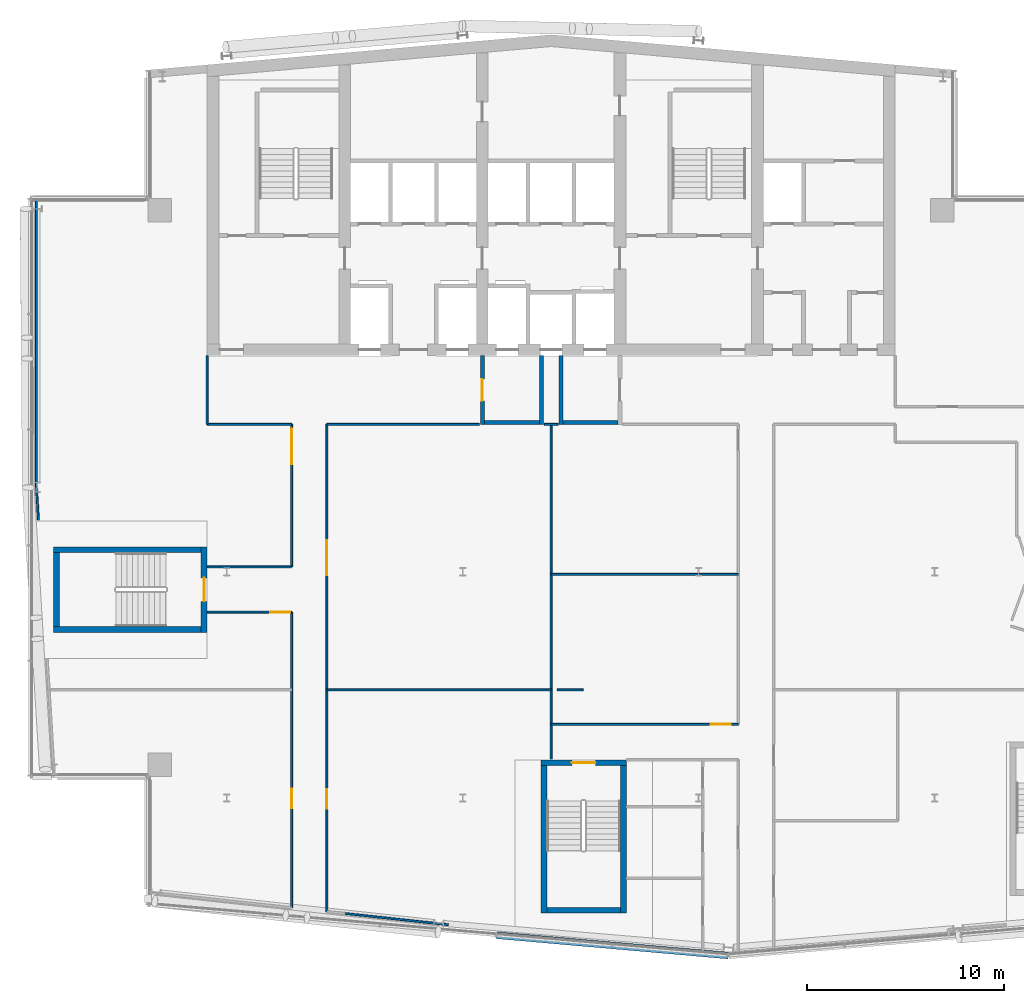
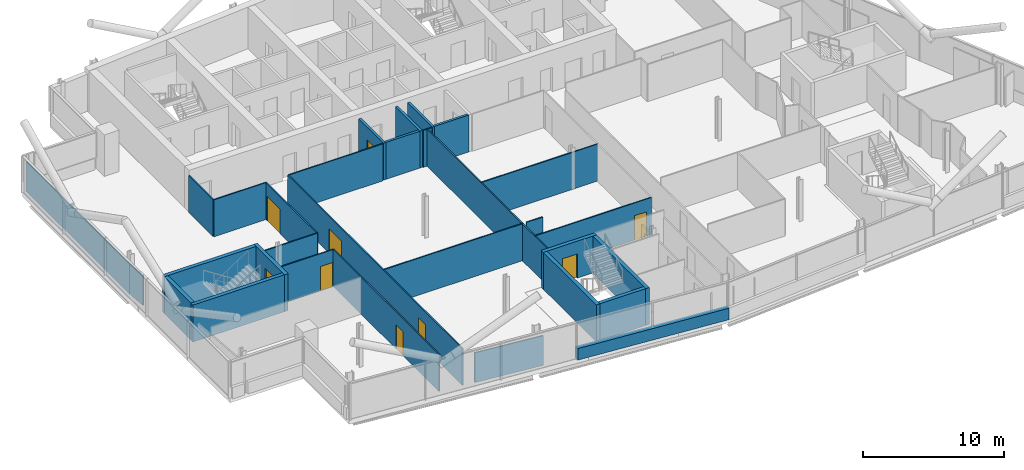
# One storey, part 15 of 28: 31 walls, 9 doors, 9 openings.
"""IFC4 building model written with IfcOpenShell, lengths in metres."""

from ifc_helpers import new_model, si_unit, direction, frame, frame_2d, origin, place, context, subcontext, project, spatial, rectangle, extrude, material, layer, layer_set, type_object, element, fill, save


model = new_model("IFC4")

# Units and contexts
model_context = context("Model", 3, precision=1e-05, world=origin(), true_north=direction((0.0, 1.0)))
body_context = subcontext(model_context, "Body", "Model", "MODEL_VIEW")
ifc_project = project(units=[si_unit("LENGTHUNIT", "METRE"), si_unit("AREAUNIT", "SQUARE_METRE"), si_unit("VOLUMEUNIT", "CUBIC_METRE"), si_unit("PLANEANGLEUNIT", "RADIAN"), si_unit("MASSUNIT", "GRAM", prefix="KILO")], contexts=[model_context])

# Site, building, storey
site_placement = place(None, origin())
site = spatial("IfcSite", under=ifc_project, at=site_placement, CompositionType="ELEMENT")
building_placement = place(site_placement, origin())
building = spatial("IfcBuilding", under=site, at=building_placement, Name="Wharfspan Tower", CompositionType="ELEMENT")
storey_placement = place(building_placement, frame((0.0, 0.0, 253.899902)))
storey = spatial("IfcBuildingStorey", under=building, at=storey_placement, Name="L64", CompositionType="ELEMENT", Elevation=253.899902)

# Walls
ifc_material_1 = material(Name="Gypsum board on steel studs", Category="steel")
ifc_layer_1 = layer(ifc_material_1, 0.100098)
ifc_layer_set_1 = layer_set([ifc_layer_1], Name="Gypsum board on steel studs")
wall_type_1 = type_object("IfcWallType", Name="Compartment wall 100 EI 60", PredefinedType="PARTITIONING", material=ifc_layer_set_1)
wall_1_placement = place(storey_placement, frame((23.0, 30.5, 0.0), z_axis=(0.0, 0.0, 1.0), x_axis=(0.0, 1.0, 0.0)))
element("IfcWall", 1, at=wall_1_placement, inside=storey, type_object=wall_type_1, Name="Partition L64.w006", PredefinedType="PARTITIONING", context=body_context, shape_type="SweptSolid", body=[
    extrude(rectangle(XDim=3.47998, YDim=0.100098, at=frame_2d((1.73999, 0.0))), origin(), (0.0, 0.0, 1.0), 3.200195),
])
wall_2_placement = place(storey_placement, frame((23.0, 30.5, 0.0), z_axis=(0.0, 0.0, 1.0), x_axis=(1.0, 0.0, 0.0)))
element("IfcWall", 2, at=wall_2_placement, inside=storey, type_object=wall_type_1, Name="Partition L64.w007", PredefinedType="PARTITIONING", context=body_context, shape_type="SweptSolid", body=[
    extrude(rectangle(XDim=4.300049, YDim=0.100098, at=frame_2d((2.149902, 0.0))), origin(), (0.0, 0.0, 1.0), 3.200195),
])

# Wall, opening, door
wall_3_placement = place(storey_placement, frame((23.02002, 20.949951, 0.0), z_axis=(0.0, 0.0, 1.0), x_axis=(1.0, 0.0, 0.0)))
wall_3 = element("IfcWall", 3, at=wall_3_placement, inside=storey, type_object=wall_type_1, Name="Partition L64.w008", PredefinedType="PARTITIONING", context=body_context, shape_type="SweptSolid", body=[
    extrude(rectangle(XDim=4.280029, YDim=0.100098, at=frame_2d((2.140137, 0.0))), origin(), (0.0, 0.0, 1.0), 3.200195),
])
opening_1_placement = place(wall_3_placement, frame((3.199951, 0.0, 0.0)))
opening_1 = element("IfcOpeningElement", 4, at=opening_1_placement, cuts=wall_3, Name="Opening D6-13", PredefinedType="OPENING", context=body_context, shape_type="SweptSolid", body=[
    extrude(rectangle(XDim=1.0, YDim=2.100098, at=frame_2d((0.5, 1.050049))), frame((0.0, 0.060059, 0.0), z_axis=(0.0, -1.0, 0.0), x_axis=(1.0, 0.0, 0.0)), (0.0, 0.0, 1.0), 0.120117),
])
ifc_material_2 = material(Name="Fire-rated timber door leaf in steel frame", Category="steel")
door_type_1 = type_object("IfcDoorType", Name="Door 1000 FD30S Right", OperationType="SINGLE_SWING_RIGHT", PredefinedType="DOOR", material=ifc_material_2)
door_1_placement = place(opening_1_placement, origin())
door_1 = element("IfcDoor", 5, at=door_1_placement, inside=storey, type_object=door_type_1, Name="Door D6-13", OperationType="SINGLE_SWING_RIGHT", OverallHeight=2.100098, OverallWidth=1.0, PredefinedType="DOOR", context=body_context, shape_type="SweptSolid", body=[
    extrude(rectangle(XDim=1.0, YDim=2.100098, at=frame_2d((0.5, 1.050049))), frame((0.0, 0.024902, 0.0), z_axis=(0.0, -1.0, 0.0), x_axis=(1.0, 0.0, 0.0)), (0.0, 0.0, 1.0), 0.050049),
])
fill(opening_1, door_1)

# Wall
wall_4_placement = place(storey_placement, frame((23.02002, 23.25, 0.0), z_axis=(0.0, 0.0, 1.0), x_axis=(1.0, 0.0, 0.0)))
element("IfcWall", 6, at=wall_4_placement, inside=storey, type_object=wall_type_1, Name="Partition L64.w009", PredefinedType="PARTITIONING", context=body_context, shape_type="SweptSolid", body=[
    extrude(rectangle(XDim=4.274902, YDim=0.100098, at=frame_2d((2.137451, 0.0))), origin(), (0.0, 0.0, 1.0), 3.200195),
])

# Wall, opening, door
wall_5_placement = place(storey_placement, frame((27.300049, 23.25, 0.0), z_axis=(0.0, 0.0, 1.0), x_axis=(0.0, 1.0, 0.0)))
wall_5 = element("IfcWall", 7, at=wall_5_placement, inside=storey, type_object=wall_type_1, Name="Partition L64.w011", PredefinedType="PARTITIONING", context=body_context, shape_type="SweptSolid", body=[
    extrude(rectangle(XDim=7.25, YDim=0.100098, at=frame_2d((3.625, 0.0))), origin(), (0.0, 0.0, 1.0), 3.200195),
])
opening_2_placement = place(wall_5_placement, frame((5.22998, 0.0, 0.0)))
opening_2 = element("IfcOpeningElement", 8, at=opening_2_placement, cuts=wall_5, Name="Opening D6-15", PredefinedType="OPENING", context=body_context, shape_type="SweptSolid", body=[
    extrude(rectangle(XDim=1.800049, YDim=2.100098, at=frame_2d((0.899902, 1.050049))), frame((0.0, 0.060059, 0.0), z_axis=(0.0, -1.0, 0.0), x_axis=(1.0, 0.0, 0.0)), (0.0, 0.0, 1.0), 0.120117),
])
door_type_2 = type_object("IfcDoorType", Name="Door 1800 FD30S Double", OperationType="DOUBLE_DOOR_SINGLE_SWING", PredefinedType="DOOR", material=ifc_material_2)
door_2_placement = place(opening_2_placement, origin())
door_2 = element("IfcDoor", 9, at=door_2_placement, inside=storey, type_object=door_type_2, Name="Door D6-15", OperationType="DOUBLE_DOOR_SINGLE_SWING", OverallHeight=2.100098, OverallWidth=1.800049, PredefinedType="DOOR", context=body_context, shape_type="SweptSolid", body=[
    extrude(rectangle(XDim=1.800049, YDim=2.100098, at=frame_2d((0.899902, 1.050049))), frame((0.0, 0.024902, 0.0), z_axis=(0.0, -1.0, 0.0), x_axis=(1.0, 0.0, 0.0)), (0.0, 0.0, 1.0), 0.050049),
])
fill(opening_2, door_2)

wall_6_placement = place(storey_placement, frame((27.300049, 5.919922, 0.0), z_axis=(0.0, 0.0, 1.0), x_axis=(0.0, 1.0, 0.0)))
wall_6 = element("IfcWall", 10, at=wall_6_placement, inside=storey, type_object=wall_type_1, Name="Partition L64.w012", PredefinedType="PARTITIONING", context=body_context, shape_type="SweptSolid", body=[
    extrude(rectangle(XDim=15.030029, YDim=0.100098, at=frame_2d((7.515137, 0.0))), origin(), (0.0, 0.0, 1.0), 3.200195),
])
opening_3_placement = place(wall_6_placement, frame((5.054932, 0.0, 0.0)))
opening_3 = element("IfcOpeningElement", 11, at=opening_3_placement, cuts=wall_6, Name="Opening D6-07", PredefinedType="OPENING", context=body_context, shape_type="SweptSolid", body=[
    extrude(rectangle(XDim=1.0, YDim=2.100098, at=frame_2d((0.5, 1.050049))), frame((0.0, 0.060059, 0.0), z_axis=(0.0, -1.0, 0.0), x_axis=(1.0, 0.0, 0.0)), (0.0, 0.0, 1.0), 0.120117),
])
door_type_3 = type_object("IfcDoorType", Name="Door 1000 FD30S Left", OperationType="SINGLE_SWING_LEFT", PredefinedType="DOOR", material=ifc_material_2)
door_3_placement = place(opening_3_placement, origin())
door_3 = element("IfcDoor", 12, at=door_3_placement, inside=storey, type_object=door_type_3, Name="Door D6-07", OperationType="SINGLE_SWING_LEFT", OverallHeight=2.100098, OverallWidth=1.0, PredefinedType="DOOR", context=body_context, shape_type="SweptSolid", body=[
    extrude(rectangle(XDim=1.0, YDim=2.100098, at=frame_2d((0.5, 1.050049))), frame((0.0, 0.024902, 0.0), z_axis=(0.0, -1.0, 0.0), x_axis=(1.0, 0.0, 0.0)), (0.0, 0.0, 1.0), 0.050049),
])
fill(opening_3, door_3)

# Wall, openings, doors
wall_7_placement = place(storey_placement, frame((29.100098, 5.725098, 0.0), z_axis=(0.0, 0.0, 1.0), x_axis=(0.0, 1.0, 0.0)))
wall_7 = element("IfcWall", 13, at=wall_7_placement, inside=storey, type_object=wall_type_1, Name="Partition L64.w013", PredefinedType="PARTITIONING", context=body_context, shape_type="SweptSolid", body=[
    extrude(rectangle(XDim=24.774902, YDim=0.100098, at=frame_2d((12.387451, 0.0))), origin(), (0.0, 0.0, 1.0), 3.200195),
])
opening_4_placement = place(wall_7_placement, frame((5.219971, 0.0, 0.0)))
opening_4 = element("IfcOpeningElement", 14, at=opening_4_placement, cuts=wall_7, Name="Opening D6-06", PredefinedType="OPENING", context=body_context, shape_type="SweptSolid", body=[
    extrude(rectangle(XDim=1.0, YDim=2.100098, at=frame_2d((0.5, 1.050049))), frame((0.0, 0.060059, 0.0), z_axis=(0.0, -1.0, 0.0), x_axis=(1.0, 0.0, 0.0)), (0.0, 0.0, 1.0), 0.120117),
])
opening_5_placement = place(wall_7_placement, frame((17.094971, 0.0, 0.0)))
opening_5 = element("IfcOpeningElement", 15, at=opening_5_placement, cuts=wall_7, Name="Opening D6-14", PredefinedType="OPENING", context=body_context, shape_type="SweptSolid", body=[
    extrude(rectangle(XDim=1.800049, YDim=2.100098, at=frame_2d((0.899902, 1.050049))), frame((0.0, 0.060059, 0.0), z_axis=(0.0, -1.0, 0.0), x_axis=(1.0, 0.0, 0.0)), (0.0, 0.0, 1.0), 0.120117),
])
door_4_placement = place(opening_4_placement, origin())
door_4 = element("IfcDoor", 16, at=door_4_placement, inside=storey, type_object=door_type_3, Name="Door D6-06", OperationType="SINGLE_SWING_LEFT", OverallHeight=2.100098, OverallWidth=1.0, PredefinedType="DOOR", context=body_context, shape_type="SweptSolid", body=[
    extrude(rectangle(XDim=1.0, YDim=2.100098, at=frame_2d((0.5, 1.050049))), frame((0.0, 0.024902, 0.0), z_axis=(0.0, -1.0, 0.0), x_axis=(1.0, 0.0, 0.0)), (0.0, 0.0, 1.0), 0.050049),
])
fill(opening_4, door_4)
door_5_placement = place(opening_5_placement, origin())
door_5 = element("IfcDoor", 17, at=door_5_placement, inside=storey, type_object=door_type_2, Name="Door D6-14", OperationType="DOUBLE_DOOR_SINGLE_SWING", OverallHeight=2.100098, OverallWidth=1.800049, PredefinedType="DOOR", context=body_context, shape_type="SweptSolid", body=[
    extrude(rectangle(XDim=1.800049, YDim=2.100098, at=frame_2d((0.899902, 1.050049))), frame((0.0, 0.024902, 0.0), z_axis=(0.0, -1.0, 0.0), x_axis=(1.0, 0.0, 0.0)), (0.0, 0.0, 1.0), 0.050049),
])
fill(opening_5, door_5)

# Walls
wall_8_placement = place(storey_placement, frame((29.100098, 16.995117, 0.0), z_axis=(0.0, 0.0, 1.0), x_axis=(1.0, 0.0, 0.0)))
element("IfcWall", 18, at=wall_8_placement, inside=storey, type_object=wall_type_1, Name="Partition L64.w014", PredefinedType="PARTITIONING", context=body_context, shape_type="SweptSolid", body=[
    extrude(rectangle(XDim=11.399902, YDim=0.100098, at=frame_2d((5.699951, 0.0))), origin(), (0.0, 0.0, 1.0), 3.200195),
])
wall_9_placement = place(storey_placement, frame((29.100098, 30.5, 0.0), z_axis=(0.0, 0.0, 1.0), x_axis=(1.0, 0.0, 0.0)))
element("IfcWall", 19, at=wall_9_placement, inside=storey, type_object=wall_type_1, Name="Partition L64.w015", PredefinedType="PARTITIONING", context=body_context, shape_type="SweptSolid", body=[
    extrude(rectangle(XDim=7.75, YDim=0.100098, at=frame_2d((3.875, 0.0))), origin(), (0.0, 0.0, 1.0), 3.200195),
])
wall_10_placement = place(storey_placement, frame((40.5, 13.463135, 0.0), z_axis=(0.0, 0.0, 1.0), x_axis=(0.0, 1.0, 0.0)))
element("IfcWall", 20, at=wall_10_placement, inside=storey, type_object=wall_type_1, Name="Partition L64.w018", PredefinedType="PARTITIONING", context=body_context, shape_type="SweptSolid", body=[
    extrude(rectangle(XDim=17.036865, YDim=0.100098, at=frame_2d((8.518555, 0.0))), origin(), (0.0, 0.0, 1.0), 3.200195),
])

# Wall, opening, door
wall_11_placement = place(storey_placement, frame((40.5, 15.245117, 0.0), z_axis=(0.0, 0.0, 1.0), x_axis=(1.0, 0.0, 0.0)))
wall_11 = element("IfcWall", 21, at=wall_11_placement, inside=storey, type_object=wall_type_1, Name="Partition L64.w019", PredefinedType="PARTITIONING", context=body_context, shape_type="SweptSolid", body=[
    extrude(rectangle(XDim=9.52002, YDim=0.100098, at=frame_2d((4.76001, 0.0))), origin(), (0.0, 0.0, 1.0), 3.200195),
])
opening_6_placement = place(wall_11_placement, frame((8.125, 0.0, 0.0)))
opening_6 = element("IfcOpeningElement", 22, at=opening_6_placement, cuts=wall_11, Name="Opening D6-10", PredefinedType="OPENING", context=body_context, shape_type="SweptSolid", body=[
    extrude(rectangle(XDim=1.0, YDim=2.100098, at=frame_2d((0.5, 1.050049))), frame((0.0, 0.060059, 0.0), z_axis=(0.0, -1.0, 0.0), x_axis=(1.0, 0.0, 0.0)), (0.0, 0.0, 1.0), 0.120117),
])
door_6_placement = place(opening_6_placement, origin())
door_6 = element("IfcDoor", 23, at=door_6_placement, inside=storey, type_object=door_type_1, Name="Door D6-10", OperationType="SINGLE_SWING_RIGHT", OverallHeight=2.100098, OverallWidth=1.0, PredefinedType="DOOR", context=body_context, shape_type="SweptSolid", body=[
    extrude(rectangle(XDim=1.0, YDim=2.100098, at=frame_2d((0.5, 1.050049))), frame((0.0, 0.024902, 0.0), z_axis=(0.0, -1.0, 0.0), x_axis=(1.0, 0.0, 0.0)), (0.0, 0.0, 1.0), 0.050049),
])
fill(opening_6, door_6)

# Walls
wall_12_placement = place(storey_placement, frame((40.5, 22.870117, 0.0), z_axis=(0.0, 0.0, 1.0), x_axis=(1.0, 0.0, 0.0)))
element("IfcWall", 24, at=wall_12_placement, inside=storey, type_object=wall_type_1, Name="Partition L64.w020", PredefinedType="PARTITIONING", context=body_context, shape_type="SweptSolid", body=[
    extrude(rectangle(XDim=9.52002, YDim=0.100098, at=frame_2d((4.76001, 0.0))), origin(), (0.0, 0.0, 1.0), 3.200195),
])
wall_13_placement = place(storey_placement, frame((40.149902, 30.5, 0.0), z_axis=(0.0, 0.0, 1.0), x_axis=(1.0, 0.0, 0.0)))
element("IfcWall", 25, at=wall_13_placement, inside=storey, type_object=wall_type_1, Name="Partition L64.w015 (2)", PredefinedType="PARTITIONING", context=body_context, shape_type="SweptSolid", body=[
    extrude(rectangle(XDim=0.700195, YDim=0.100098, at=frame_2d((0.350098, 0.0))), origin(), (0.0, 0.0, 1.0), 3.200195),
])

# Wall, opening, door
ifc_material_3 = material(Name="Concrete C30/37", Category="concrete")
ifc_layer_2 = layer(ifc_material_3, 0.199951)
ifc_layer_set_2 = layer_set([ifc_layer_2], Name="Concrete C30/37")
wall_type_2 = type_object("IfcWallType", Name="Lobby wall 200", PredefinedType="PARTITIONING", material=ifc_layer_set_2)
wall_14_placement = place(storey_placement, frame((37.0, 30.5, 0.0), z_axis=(0.0, 0.0, 1.0), x_axis=(0.0, 1.0, 0.0)))
wall_14 = element("IfcWall", 26, at=wall_14_placement, inside=storey, type_object=wall_type_2, Name="sw:L64:FLFF1W", PredefinedType="PARTITIONING", context=body_context, shape_type="SweptSolid", body=[
    extrude(rectangle(XDim=3.5, YDim=0.199951, at=frame_2d((1.75, 0.0))), origin(), (0.0, 0.0, 1.0), 3.200195),
])
opening_7_placement = place(wall_14_placement, frame((1.199951, 0.0, 0.0)))
opening_7 = element("IfcOpeningElement", 27, at=opening_7_placement, cuts=wall_14, Name="Opening FL.FF1.L64", PredefinedType="OPENING", context=body_context, shape_type="SweptSolid", body=[
    extrude(rectangle(XDim=1.100098, YDim=2.100098, at=frame_2d((0.550049, 1.050049))), frame((0.0, 0.109863, 0.0), z_axis=(0.0, -1.0, 0.0), x_axis=(1.0, 0.0, 0.0)), (0.0, 0.0, 1.0), 0.219971),
])
ifc_material_4 = material(Name="Steel door leaf", Category="steel")
door_type_4 = type_object("IfcDoorType", Name="Firefighting lobby door 1100x2100", OperationType="SINGLE_SWING_LEFT", PredefinedType="DOOR", material=ifc_material_4)
door_7_placement = place(opening_7_placement, origin())
door_7 = element("IfcDoor", 28, at=door_7_placement, inside=storey, type_object=door_type_4, Name="fd:L64:FF1", OperationType="SINGLE_SWING_LEFT", OverallHeight=2.100098, OverallWidth=1.100098, PredefinedType="DOOR", context=body_context, shape_type="SweptSolid", body=[
    extrude(rectangle(XDim=1.100098, YDim=2.100098, at=frame_2d((0.550049, 1.050049))), frame((0.0, 0.024902, 0.0), z_axis=(0.0, -1.0, 0.0), x_axis=(1.0, 0.0, 0.0)), (0.0, 0.0, 1.0), 0.050049),
])
fill(opening_7, door_7)

# Walls
wall_15_placement = place(storey_placement, frame((40.0, 30.5, 0.0), z_axis=(0.0, 0.0, 1.0), x_axis=(0.0, 1.0, 0.0)))
element("IfcWall", 29, at=wall_15_placement, inside=storey, type_object=wall_type_2, Name="sw:L64:FLFF1E", PredefinedType="PARTITIONING", context=body_context, shape_type="SweptSolid", body=[
    extrude(rectangle(XDim=3.5, YDim=0.199951, at=frame_2d((1.75, 0.0))), origin(), (0.0, 0.0, 1.0), 3.200195),
])
wall_16_placement = place(storey_placement, frame((37.100098, 30.600098, 0.0), z_axis=(0.0, 0.0, 1.0), x_axis=(1.0, 0.0, 0.0)))
element("IfcWall", 30, at=wall_16_placement, inside=storey, type_object=wall_type_2, Name="sw:L64:FLFF1F", PredefinedType="PARTITIONING", context=body_context, shape_type="SweptSolid", body=[
    extrude(rectangle(XDim=2.799805, YDim=0.199951, at=frame_2d((1.399902, 0.0))), origin(), (0.0, 0.0, 1.0), 3.200195),
])
wall_17_placement = place(storey_placement, frame((41.0, 30.5, 0.0), z_axis=(0.0, 0.0, 1.0), x_axis=(0.0, 1.0, 0.0)))
element("IfcWall", 31, at=wall_17_placement, inside=storey, type_object=wall_type_2, Name="sw:L64:FLFF2W", PredefinedType="PARTITIONING", context=body_context, shape_type="SweptSolid", body=[
    extrude(rectangle(XDim=3.5, YDim=0.199951, at=frame_2d((1.75, 0.0))), origin(), (0.0, 0.0, 1.0), 3.200195),
])
wall_18_placement = place(storey_placement, frame((41.100098, 30.600098, 0.0), z_axis=(0.0, 0.0, 1.0), x_axis=(1.0, 0.0, 0.0)))
element("IfcWall", 32, at=wall_18_placement, inside=storey, type_object=wall_type_2, Name="sw:L64:FLFF2F", PredefinedType="PARTITIONING", context=body_context, shape_type="SweptSolid", body=[
    extrude(rectangle(XDim=2.799805, YDim=0.199951, at=frame_2d((1.399902, 0.0))), origin(), (0.0, 0.0, 1.0), 3.200195),
])
ifc_layer_3 = layer(ifc_material_1, 0.100098)
ifc_layer_set_3 = layer_set([ifc_layer_3], Name="Gypsum board on steel studs")
wall_type_3 = type_object("IfcWallType", Name="Partition 100", PredefinedType="PARTITIONING", material=ifc_layer_set_3)
wall_19_placement = place(storey_placement, frame((14.324951, 27.300049, 0.0), z_axis=(0.0, 0.0, 1.0), x_axis=(0.0, 1.0, 0.0)))
element("IfcWall", 33, at=wall_19_placement, inside=storey, type_object=wall_type_3, Name="Partition L64.w001", PredefinedType="PARTITIONING", context=body_context, shape_type="SweptSolid", body=[
    extrude(rectangle(XDim=14.679932, YDim=0.100098, at=frame_2d((7.339844, 0.0))), origin(), (0.0, 0.0, 1.0), 2.580078),
])
wall_20_placement = place(storey_placement, frame((14.428711, 25.620117, 0.0), z_axis=(0.0, 0.0, 1.0), x_axis=(-0.061647, 0.998101, 0.0)))
element("IfcWall", 34, at=wall_20_placement, inside=storey, type_object=wall_type_3, Name="Partition L64.w002", PredefinedType="PARTITIONING", context=body_context, shape_type="SweptSolid", body=[
    extrude(rectangle(XDim=1.683105, YDim=0.100098, at=frame_2d((0.841553, 0.0))), origin(), (0.0, 0.0, 1.0), 2.580078),
])
wall_21_placement = place(storey_placement, frame((35.274902, 5.054932, 0.0), z_axis=(0.0, 0.0, 1.0), x_axis=(-0.994115, 0.108356, 0.0)))
element("IfcWall", 35, at=wall_21_placement, inside=storey, type_object=wall_type_3, Name="Partition L64.w017", PredefinedType="PARTITIONING", context=body_context, shape_type="SweptSolid", body=[
    extrude(rectangle(XDim=5.306152, YDim=0.100098, at=frame_2d((2.653076, 0.0))), origin(), (0.0, 0.0, 1.0), 2.580078),
])
wall_22_placement = place(storey_placement, frame((40.800049, 17.0, 0.0), z_axis=(0.0, 0.0, 1.0), x_axis=(1.0, 0.0, 0.0)))
element("IfcWall", 36, at=wall_22_placement, inside=storey, type_object=wall_type_3, Name="Partition L64.w021", PredefinedType="PARTITIONING", context=body_context, shape_type="SweptSolid", body=[
    extrude(rectangle(XDim=1.324951, YDim=0.100098, at=frame_2d((0.662598, 0.0))), origin(), (0.0, 0.0, 1.0), 3.200195),
])
ifc_material_5 = material(Name="Concrete C40/50", Category="concrete")
ifc_layer_4 = layer(ifc_material_5, 0.350098)
ifc_layer_set_4 = layer_set([ifc_layer_4], Name="Concrete C40/50")
wall_type_4 = type_object("IfcWallType", Name="SPANDREL EXPOSED CONCRETE 350", PredefinedType="SOLIDWALL", material=ifc_layer_set_4)
wall_23_placement = place(storey_placement, frame((37.729492, 4.519043, 0.0), z_axis=(0.0, 0.0, 1.0), x_axis=(0.99619, -0.087167, 0.0)))
element("IfcWall", 37, at=wall_23_placement, inside=storey, type_object=wall_type_4, Name="Spandrel upstand L64 S1", PredefinedType="SOLIDWALL", context=body_context, shape_type="SweptSolid", body=[
    extrude(rectangle(XDim=11.830566, YDim=0.350098, at=frame_2d((5.915283, 0.0))), origin(), (0.0, 0.0, 1.0), 1.0),
])

# Wall, opening, door
ifc_layer_5 = layer(ifc_material_5, 0.300049)
ifc_layer_set_5 = layer_set([ifc_layer_5], Name="Concrete C40/50")
wall_type_5 = type_object("IfcWallType", Name="Stair core wall 300", PredefinedType="SHEAR", material=ifc_layer_set_5)
wall_24_placement = place(storey_placement, frame((22.850098, 19.925049, 0.0), z_axis=(0.0, 0.0, 1.0), x_axis=(0.0, 1.0, 0.0)))
wall_24 = element("IfcWall", 38, at=wall_24_placement, inside=storey, type_object=wall_type_5, Name="ST3 stair enclosure wall L64", PredefinedType="SHEAR", context=body_context, shape_type="SweptSolid", body=[
    extrude(rectangle(XDim=4.349854, YDim=0.300049, at=frame_2d((2.174805, 0.0))), origin(), (0.0, 0.0, 1.0), 3.200195),
])
opening_8_placement = place(wall_24_placement, frame((1.574951, 0.0, 0.0)))
opening_8 = element("IfcOpeningElement", 39, at=opening_8_placement, cuts=wall_24, Name="Opening SD3.L64", PredefinedType="OPENING", context=body_context, shape_type="SweptSolid", body=[
    extrude(rectangle(XDim=1.199951, YDim=2.100098, at=frame_2d((0.600098, 1.050049))), frame((0.0, 0.159912, 0.0), z_axis=(0.0, -1.0, 0.0), x_axis=(1.0, 0.0, 0.0)), (0.0, 0.0, 1.0), 0.320068),
])
door_type_5 = type_object("IfcDoorType", Name="Stair door 1200x2100", OperationType="SINGLE_SWING_LEFT", PredefinedType="DOOR", material=ifc_material_4)
door_8_placement = place(opening_8_placement, origin())
door_8 = element("IfcDoor", 40, at=door_8_placement, inside=storey, type_object=door_type_5, Name="sd:L64:ST3z4", OperationType="SINGLE_SWING_RIGHT", OverallHeight=2.100098, OverallWidth=1.199951, PredefinedType="DOOR", context=body_context, shape_type="SweptSolid", body=[
    extrude(rectangle(XDim=1.199951, YDim=2.100098, at=frame_2d((0.600098, 1.050049))), frame((0.0, 0.024902, 0.0), z_axis=(0.0, -1.0, 0.0), x_axis=(1.0, 0.0, 0.0)), (0.0, 0.0, 1.0), 0.050049),
])
fill(opening_8, door_8)

wall_25_placement = place(storey_placement, frame((39.977051, 13.293213, 0.0), z_axis=(0.0, 0.0, 1.0), x_axis=(1.0, 0.0, 0.0)))
wall_25 = element("IfcWall", 41, at=wall_25_placement, inside=storey, type_object=wall_type_5, Name="ST4 stair enclosure wall L64", PredefinedType="SHEAR", context=body_context, shape_type="SweptSolid", body=[
    extrude(rectangle(XDim=4.350098, YDim=0.300049, at=frame_2d((2.175049, 0.0))), origin(), (0.0, 0.0, 1.0), 3.200195),
])
opening_9_placement = place(wall_25_placement, frame((1.574951, 0.0, 0.0)))
opening_9 = element("IfcOpeningElement", 42, at=opening_9_placement, cuts=wall_25, Name="Opening SD4.L64", PredefinedType="OPENING", context=body_context, shape_type="SweptSolid", body=[
    extrude(rectangle(XDim=1.199951, YDim=2.100098, at=frame_2d((0.600098, 1.050049))), frame((0.0, 0.159912, 0.0), z_axis=(0.0, -1.0, 0.0), x_axis=(1.0, 0.0, 0.0)), (0.0, 0.0, 1.0), 0.320068),
])
door_9_placement = place(opening_9_placement, origin())
door_9 = element("IfcDoor", 43, at=door_9_placement, inside=storey, type_object=door_type_5, Name="sd:L64:ST4z4", OperationType="SINGLE_SWING_RIGHT", OverallHeight=2.100098, OverallWidth=1.199951, PredefinedType="DOOR", context=body_context, shape_type="SweptSolid", body=[
    extrude(rectangle(XDim=1.199951, YDim=2.100098, at=frame_2d((0.600098, 1.050049))), frame((0.0, 0.024902, 0.0), z_axis=(0.0, -1.0, 0.0), x_axis=(1.0, 0.0, 0.0)), (0.0, 0.0, 1.0), 0.050049),
])
fill(opening_9, door_9)

# Walls
for number, where, z_axis, x_axis, name in (
    (44, (15.199951, 20.074951, 0.0), (0.0, 0.0, 1.0), (1.0, 0.0, 0.0), "ST3 stair enclosure wall L64"),
    (45, (15.199951, 24.125, 0.0), (0.0, 0.0, 1.0), (1.0, 0.0, 0.0), "ST3 stair enclosure wall L64"),
):
    element("IfcWall", number, at=place(storey_placement, frame(where, z_axis=z_axis, x_axis=x_axis)), inside=storey, type_object=wall_type_5, Name=name, PredefinedType="SHEAR", context=body_context, shape_type="SweptSolid", body=[
        extrude(rectangle(XDim=7.5, YDim=0.300049, at=frame_2d((3.75, 0.0))), origin(), (0.0, 0.0, 1.0), 3.200195),
    ])
wall_26_placement = place(storey_placement, frame((15.350098, 20.225098, 0.0), z_axis=(0.0, 0.0, 1.0), x_axis=(0.0, 1.0, 0.0)))
element("IfcWall", 46, at=wall_26_placement, inside=storey, type_object=wall_type_5, Name="ST3 stair enclosure wall L64", PredefinedType="SHEAR", context=body_context, shape_type="SweptSolid", body=[
    extrude(rectangle(XDim=3.75, YDim=0.300049, at=frame_2d((1.875, 0.0))), origin(), (0.0, 0.0, 1.0), 3.200195),
])
for number, where, z_axis, x_axis, name in (
    (47, (40.127197, 5.643311, 0.0), (0.0, 0.0, 1.0), (0.0, 1.0, 0.0), "ST4 stair enclosure wall L64"),
    (48, (44.177002, 5.643311, 0.0), (0.0, 0.0, 1.0), (0.0, 1.0, 0.0), "ST4 stair enclosure wall L64"),
):
    element("IfcWall", number, at=place(storey_placement, frame(where, z_axis=z_axis, x_axis=x_axis)), inside=storey, type_object=wall_type_5, Name=name, PredefinedType="SHEAR", context=body_context, shape_type="SweptSolid", body=[
        extrude(rectangle(XDim=7.5, YDim=0.300049, at=frame_2d((3.75, 0.0))), origin(), (0.0, 0.0, 1.0), 3.200195),
    ])
wall_27_placement = place(storey_placement, frame((40.2771, 5.793213, 0.0), z_axis=(0.0, 0.0, 1.0), x_axis=(1.0, 0.0, 0.0)))
element("IfcWall", 49, at=wall_27_placement, inside=storey, type_object=wall_type_5, Name="ST4 stair enclosure wall L64", PredefinedType="SHEAR", context=body_context, shape_type="SweptSolid", body=[
    extrude(rectangle(XDim=3.75, YDim=0.300049, at=frame_2d((1.875, 0.0))), origin(), (0.0, 0.0, 1.0), 3.200195),
])

save(model, "model.ifc")
